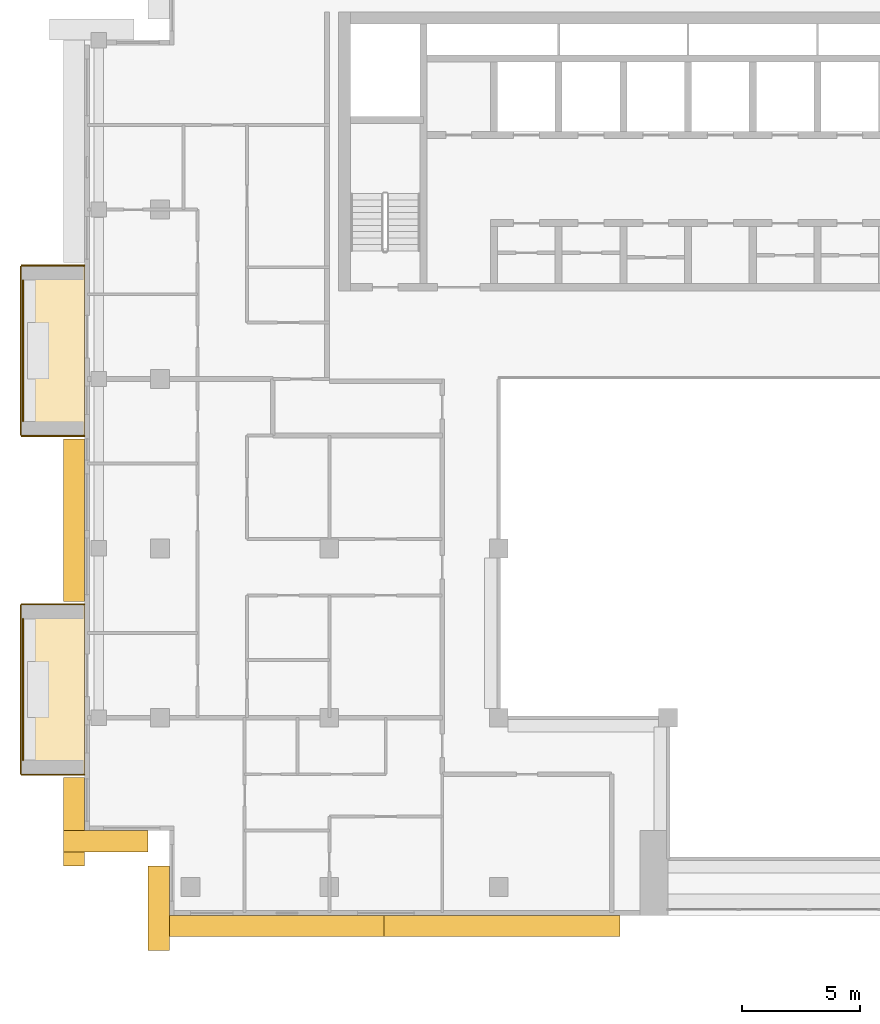
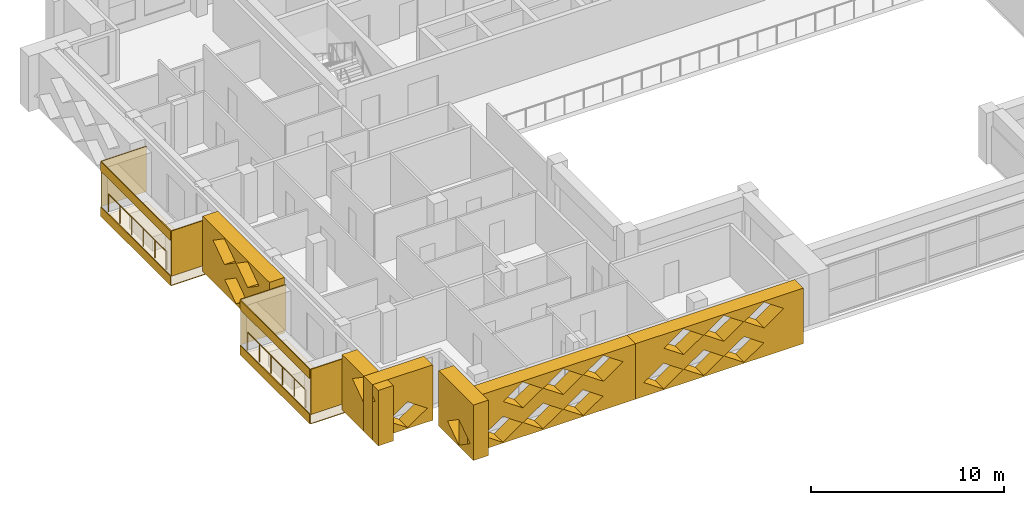
# One storey, part 13 of 19: 16 coverings, 2 railings.
"""IFC4 building model written with IfcOpenShell, lengths in metres."""

from ifc_helpers import new_model, si_unit, direction, frame, origin, origin_2d, place, context, subcontext, project, spatial, polyline, circle, outline, extrude, material, layer, layer_set, type_object, element, save


model = new_model("IFC4")

# Units and contexts
model_context = context("Model", 3, precision=1e-05, world=origin(), true_north=direction((0.0, 1.0)))
body_context = subcontext(model_context, "Body", "Model", "MODEL_VIEW")
ifc_project = project(units=[si_unit("LENGTHUNIT", "METRE"), si_unit("AREAUNIT", "SQUARE_METRE"), si_unit("VOLUMEUNIT", "CUBIC_METRE"), si_unit("PLANEANGLEUNIT", "RADIAN"), si_unit("MASSUNIT", "GRAM", prefix="KILO")], contexts=[model_context])

# Site, building, storey
site_placement = place(None, origin())
site = spatial("IfcSite", under=ifc_project, at=site_placement, CompositionType="ELEMENT")
building_placement = place(site_placement, origin())
building = spatial("IfcBuilding", under=site, at=building_placement, Name="Saffron Iwan Residences", CompositionType="ELEMENT")
storey_placement = place(building_placement, frame((0.0, 0.0, 250.0)))
storey = spatial("IfcBuildingStorey", under=building, at=storey_placement, Name="L67", CompositionType="ELEMENT", Elevation=250.0)

# Railings
ifc_material_1 = material(Name="Stainless steel 316", Category="steel")
railing_type = type_object("IfcRailingType", Name="BALCONY GUARD 1150", PredefinedType="GUARDRAIL", material=ifc_material_1)
for number, where, name in (
    (1, (15.77490234375, 66.60009765625, 0.0), "Balcony guard L67 F8-0"),
    (2, (15.77490234375, 52.199951171875, 0.0), "Balcony guard L67 F8-1"),
):
    element("IfcRailing", number, at=place(storey_placement, frame(where)), inside=storey, type_object=railing_type, Name=name, PredefinedType="GUARDRAIL", context=body_context, shape_type="SweptSolid", body=[
        extrude(circle(Radius=0.02392578125, at=origin_2d()), frame((0.0, 0.0, 1.1259765625), z_axis=(0.0, -1.0, 0.0), x_axis=(1.0, 0.0, 0.0)), (0.0, 0.0, 1.0), 6.0),
        extrude(circle(Radius=0.02099609375, at=origin_2d()), origin(), (0.0, 0.0, 1.0), 1.101806640625),
        extrude(circle(Radius=0.02099609375, at=origin_2d()), frame((0.0, -1.199951171875, 0.0)), (0.0, 0.0, 1.0), 1.101806640625),
        extrude(circle(Radius=0.02099609375, at=origin_2d()), frame((0.0, -2.39990234375, 0.0)), (0.0, 0.0, 1.0), 1.101806640625),
        extrude(circle(Radius=0.02099609375, at=origin_2d()), frame((0.0, -3.60009765625, 0.0)), (0.0, 0.0, 1.0), 1.101806640625),
        extrude(circle(Radius=0.02099609375, at=origin_2d()), frame((0.0, -4.800048828125, 0.0)), (0.0, 0.0, 1.0), 1.101806640625),
        extrude(circle(Radius=0.02099609375, at=origin_2d()), frame((0.0, -6.0, 0.0)), (0.0, 0.0, 1.0), 1.101806640625),
    ])

# Coverings
ifc_material_2 = material(Name="Precast concrete C40/50 white painted", Category="concrete")
ifc_layer = layer(ifc_material_2, 0.050048828125)
ifc_layer_set = layer_set([ifc_layer], Name="Precast concrete C40/50 white painted")
covering_type_1 = type_object("IfcCoveringType", Name="FRAME SKIN PRECAST WHITE 50", PredefinedType="CLADDING", material=ifc_layer_set)
for number, where, name in (
    (3, (0.0, 0.0, -0.60009765625), "Frame skin slab edge L67 F8-0"),
    (4, (0.0, 0.0, 2.25), "Frame skin fascia L67 F8-0"),
):
    element("IfcCovering", number, at=place(storey_placement, frame(where)), inside=storey, type_object=covering_type_1, Name=name, PredefinedType="CLADDING", context=body_context, shape_type="SweptSolid", body=[
        extrude(outline(polyline([(15.64990234375, 67.199951171875), (15.64990234375, 60.0), (15.699951171875, 60.0), (15.699951171875, 67.199951171875), (15.64990234375, 67.199951171875)])), origin(), (0.0, 0.0, 1.0), 0.60009765625),
    ])
covering_1_placement = place(storey_placement, frame((0.0, 0.0, -0.64990234375)))
element("IfcCovering", 5, at=covering_1_placement, inside=storey, type_object=covering_type_1, Name="Frame skin soffit L67 F8-0", PredefinedType="CLADDING", context=body_context, shape_type="SweptSolid", body=[
    extrude(outline(polyline([(15.699951171875, 67.199951171875), (15.699951171875, 60.0), (18.39990234375, 60.0), (18.39990234375, 67.199951171875), (15.699951171875, 67.199951171875)])), origin(), (0.0, 0.0, 1.0), 0.0498046875),
])
covering_2_placement = place(storey_placement, origin())
element("IfcCovering", 6, at=covering_2_placement, inside=storey, type_object=covering_type_1, Name="Frame skin fin L67 F8-0a", PredefinedType="CLADDING", context=body_context, shape_type="SweptSolid", body=[
    extrude(outline(polyline([(15.699951171875, 67.25), (15.699951171875, 67.199951171875), (18.39990234375, 67.199951171875), (18.39990234375, 67.25), (15.699951171875, 67.25)])), origin(), (0.0, 0.0, 1.0), 2.85009765625),
])
covering_3_placement = place(storey_placement, origin())
element("IfcCovering", 7, at=covering_3_placement, inside=storey, type_object=covering_type_1, Name="Frame skin fin L67 F8-0b", PredefinedType="CLADDING", context=body_context, shape_type="SweptSolid", body=[
    extrude(outline(polyline([(15.699951171875, 60.0), (15.699951171875, 59.949951171875), (18.39990234375, 59.949951171875), (18.39990234375, 60.0), (15.699951171875, 60.0)])), origin(), (0.0, 0.0, 1.0), 2.85009765625),
])
for number, where, name in (
    (8, (0.0, 0.0, -0.60009765625), "Frame skin slab edge L67 F8-1"),
    (9, (0.0, 0.0, 2.25), "Frame skin fascia L67 F8-1"),
):
    element("IfcCovering", number, at=place(storey_placement, frame(where)), inside=storey, type_object=covering_type_1, Name=name, PredefinedType="CLADDING", context=body_context, shape_type="SweptSolid", body=[
        extrude(outline(polyline([(15.64990234375, 52.800048828125), (15.64990234375, 45.60009765625), (15.699951171875, 45.60009765625), (15.699951171875, 52.800048828125), (15.64990234375, 52.800048828125)])), origin(), (0.0, 0.0, 1.0), 0.60009765625),
    ])
covering_4_placement = place(storey_placement, frame((0.0, 0.0, -0.64990234375)))
element("IfcCovering", 10, at=covering_4_placement, inside=storey, type_object=covering_type_1, Name="Frame skin soffit L67 F8-1", PredefinedType="CLADDING", context=body_context, shape_type="SweptSolid", body=[
    extrude(outline(polyline([(15.699951171875, 52.800048828125), (15.699951171875, 45.60009765625), (18.39990234375, 45.60009765625), (18.39990234375, 52.800048828125), (15.699951171875, 52.800048828125)])), origin(), (0.0, 0.0, 1.0), 0.0498046875),
])
covering_5_placement = place(storey_placement, origin())
element("IfcCovering", 11, at=covering_5_placement, inside=storey, type_object=covering_type_1, Name="Frame skin fin L67 F8-1a", PredefinedType="CLADDING", context=body_context, shape_type="SweptSolid", body=[
    extrude(outline(polyline([(15.699951171875, 52.85009765625), (15.699951171875, 52.800048828125), (18.39990234375, 52.800048828125), (18.39990234375, 52.85009765625), (15.699951171875, 52.85009765625)])), origin(), (0.0, 0.0, 1.0), 2.85009765625),
])
covering_6_placement = place(storey_placement, origin())
element("IfcCovering", 12, at=covering_6_placement, inside=storey, type_object=covering_type_1, Name="Frame skin fin L67 F8-1b", PredefinedType="CLADDING", context=body_context, shape_type="SweptSolid", body=[
    extrude(outline(polyline([(15.699951171875, 45.60009765625), (15.699951171875, 45.550048828125), (18.39990234375, 45.550048828125), (18.39990234375, 45.60009765625), (15.699951171875, 45.60009765625)])), origin(), (0.0, 0.0, 1.0), 2.85009765625),
])
ifc_material_3 = material(Name="Precast concrete C40/50", Category="concrete")
covering_type_2 = type_object("IfcCoveringType", Name="OUTER SKIN LATTICE SCREEN", PredefinedType="CLADDING", material=ifc_material_3)
covering_7_placement = place(storey_placement, frame((18.39990234375, 59.85009765625, -0.280029296875), z_axis=(-1.0, 0.0, 0.0), x_axis=(0.0, -1.0, 0.0)))
element("IfcCovering", 13, at=covering_7_placement, inside=storey, type_object=covering_type_2, Name="OUTER SKIN lattice screen L67 F8.1", PredefinedType="CLADDING", context=body_context, shape_type="SweptSolid", body=[
    extrude(outline(polyline([(0.0, 0.0), (6.89990234375, 0.0), (6.89990234375, 3.5), (0.0, 3.5), (0.0, 0.0)]), holes=[polyline([(2.27001953125, 0.875), (3.449951171875, 0.06005859375), (4.6298828125, 0.875), (3.449951171875, 1.68994140625), (2.27001953125, 0.875)]), polyline([(1.070068359375, 2.625), (2.25, 1.81005859375), (3.429931640625, 2.625), (2.25, 3.43994140625), (1.070068359375, 2.625)]), polyline([(3.469970703125, 2.625), (4.64990234375, 1.81005859375), (5.830078125, 2.625), (4.64990234375, 3.43994140625), (3.469970703125, 2.625)])]), origin(), (0.0, 0.0, 1.0), 0.89990234375),
])
covering_8_placement = place(storey_placement, frame((18.39990234375, 45.449951171875, -0.280029296875), z_axis=(-1.0, 0.0, 0.0), x_axis=(0.0, -1.0, 0.0)))
element("IfcCovering", 14, at=covering_8_placement, inside=storey, type_object=covering_type_2, Name="OUTER SKIN lattice screen L67 F8.2", PredefinedType="CLADDING", context=body_context, shape_type="SweptSolid", body=[
    extrude(outline(polyline([(0.0, 0.0), (3.75, 0.0), (3.75, 3.5), (0.0, 3.5), (0.0, 0.0)]), holes=[polyline([(1.070068359375, 2.625), (2.25, 1.81005859375), (3.429931640625, 2.625), (2.25, 3.43994140625), (1.070068359375, 2.625)])]), origin(), (0.0, 0.0, 1.0), 0.89990234375),
])
for number, where, z_axis, x_axis, name in (
    (15, (17.5, 43.199951171875, -0.280029296875), (0.0, -1.0, 0.0), (1.0, 0.0, 0.0), "OUTER SKIN lattice screen L67 F9.0"),
    (16, (22.0, 41.699951171875, -0.280029296875), (-1.0, 0.0, 0.0), (0.0, -1.0, 0.0), "OUTER SKIN lattice screen L67 F10.0"),
):
    element("IfcCovering", number, at=place(storey_placement, frame(where, z_axis=z_axis, x_axis=x_axis)), inside=storey, type_object=covering_type_2, Name=name, PredefinedType="CLADDING", context=body_context, shape_type="SweptSolid", body=[
        extrude(outline(polyline([(0.0, 0.0), (3.60009765625, 0.0), (3.60009765625, 3.5), (0.0, 3.5), (0.0, 0.0)]), holes=[polyline([(0.919921875, 0.875), (2.10009765625, 0.06005859375), (3.280029296875, 0.875), (2.10009765625, 1.68994140625), (0.919921875, 0.875)])]), origin(), (0.0, 0.0, 1.0), 0.89990234375),
    ])
covering_9_placement = place(storey_placement, frame((21.10009765625, 39.60009765625, -0.280029296875), z_axis=(0.0, -1.0, 0.0), x_axis=(1.0, 0.0, 0.0)))
element("IfcCovering", 17, at=covering_9_placement, inside=storey, type_object=covering_type_2, Name="OUTER SKIN lattice screen L67 F11.0", PredefinedType="CLADDING", context=body_context, shape_type="SweptSolid", body=[
    extrude(outline(polyline([(0.0, 0.0), (10.02490234375, 0.0), (10.02490234375, 3.5), (0.0, 3.5), (0.0, 0.0)]), holes=[polyline([(0.919921875, 0.875), (2.10009765625, 0.06005859375), (3.280029296875, 0.875), (2.10009765625, 1.68994140625), (0.919921875, 0.875)]), polyline([(3.320068359375, 0.875), (4.5, 0.06005859375), (5.679931640625, 0.875), (4.5, 1.68994140625), (3.320068359375, 0.875)]), polyline([(5.719970703125, 0.875), (6.89990234375, 0.06005859375), (8.080078125, 0.875), (6.89990234375, 1.68994140625), (5.719970703125, 0.875)]), polyline([(2.1201171875, 2.625), (3.300048828125, 1.81005859375), (4.47998046875, 2.625), (3.300048828125, 3.43994140625), (2.1201171875, 2.625)]), polyline([(4.52001953125, 2.625), (5.699951171875, 1.81005859375), (6.8798828125, 2.625), (5.699951171875, 3.43994140625), (4.52001953125, 2.625)]), polyline([(6.919921875, 2.625), (8.10009765625, 1.81005859375), (9.280029296875, 2.625), (8.10009765625, 3.43994140625), (6.919921875, 2.625)])]), origin(), (0.0, 0.0, 1.0), 0.900146484375),
])
covering_10_placement = place(storey_placement, frame((31.125, 39.60009765625, -0.280029296875), z_axis=(0.0, -1.0, 0.0), x_axis=(1.0, 0.0, 0.0)))
element("IfcCovering", 18, at=covering_10_placement, inside=storey, type_object=covering_type_2, Name="OUTER SKIN lattice screen L67 F11.1", PredefinedType="CLADDING", context=body_context, shape_type="SweptSolid", body=[
    extrude(outline(polyline([(0.0, 0.0), (10.02490234375, 0.0), (10.02490234375, 3.5), (0.0, 3.5), (0.0, 0.0)]), holes=[polyline([(0.4951171875, 0.875), (1.675048828125, 0.06005859375), (2.85498046875, 0.875), (1.675048828125, 1.68994140625), (0.4951171875, 0.875)]), polyline([(2.89501953125, 0.875), (4.074951171875, 0.06005859375), (5.2548828125, 0.875), (4.074951171875, 1.68994140625), (2.89501953125, 0.875)]), polyline([(5.294921875, 0.875), (6.47509765625, 0.06005859375), (7.655029296875, 0.875), (6.47509765625, 1.68994140625), (5.294921875, 0.875)]), polyline([(1.695068359375, 2.625), (2.875, 1.81005859375), (4.054931640625, 2.625), (2.875, 3.43994140625), (1.695068359375, 2.625)]), polyline([(4.094970703125, 2.625), (5.27490234375, 1.81005859375), (6.455078125, 2.625), (5.27490234375, 3.43994140625), (4.094970703125, 2.625)]), polyline([(6.4951171875, 2.625), (7.675048828125, 1.81005859375), (8.85498046875, 2.625), (7.675048828125, 3.43994140625), (6.4951171875, 2.625)])]), origin(), (0.0, 0.0, 1.0), 0.900146484375),
])

save(model, "model.ifc")
